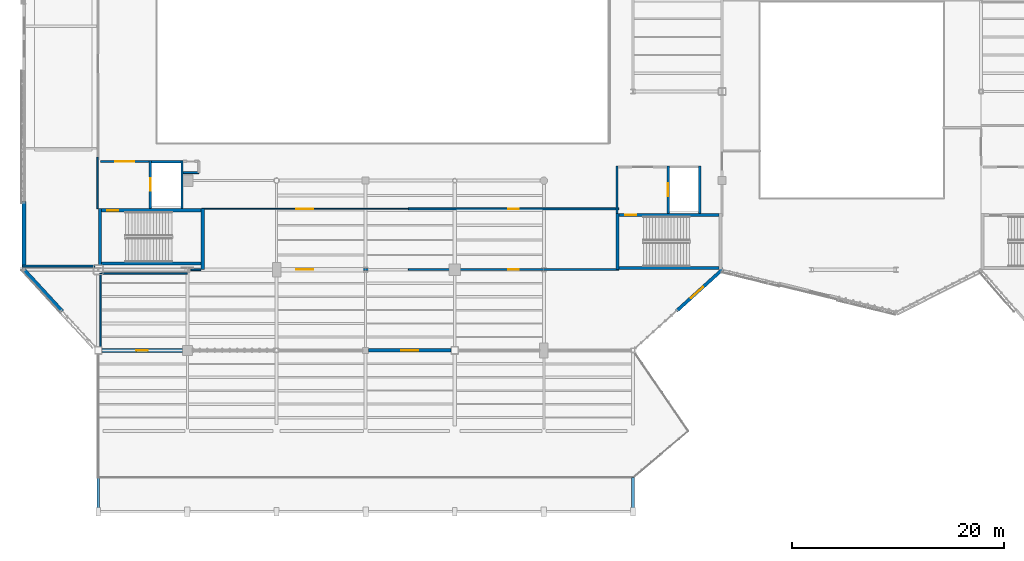
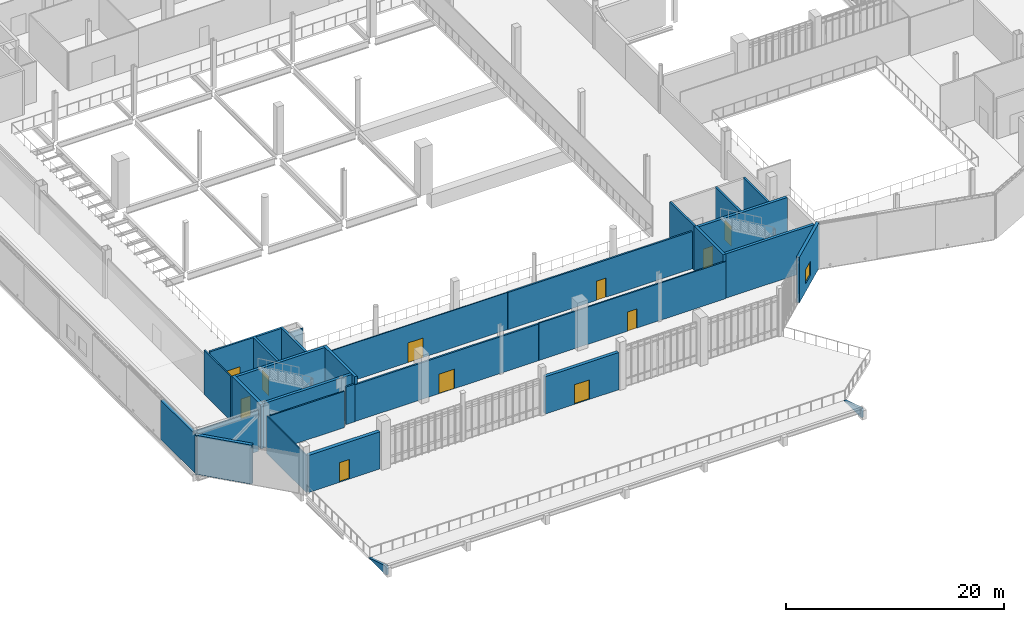
# One storey, part 104 of 127: 31 walls, 11 doors, 1 window, 12 openings.
"""IFC4 building model written with IfcOpenShell, lengths in metres."""

from ifc_helpers import new_model, si_unit, direction, frame, frame_2d, origin, place, context, subcontext, project, spatial, polyline, rectangle, outline, extrude, material, layer, layer_set, type_object, element, fill, save


model = new_model("IFC4")

# Units and contexts
model_context = context("Model", 3, precision=1e-05, world=origin(), true_north=direction((0.0, 1.0)))
body_context = subcontext(model_context, "Body", "Model", "MODEL_VIEW")
ifc_project = project(units=[si_unit("LENGTHUNIT", "METRE"), si_unit("AREAUNIT", "SQUARE_METRE"), si_unit("VOLUMEUNIT", "CUBIC_METRE"), si_unit("PLANEANGLEUNIT", "RADIAN"), si_unit("MASSUNIT", "GRAM", prefix="KILO")], contexts=[model_context])

# Site, building, storey
site_placement = place(None, origin())
site = spatial("IfcSite", under=ifc_project, at=site_placement, CompositionType="ELEMENT")
building_placement = place(site_placement, origin())
building = spatial("IfcBuilding", under=site, at=building_placement, Name="Larkvane Passage Sports Hall", CompositionType="ELEMENT")
storey_placement = place(building_placement, frame((0.0, 0.0, 5.39990234375)))
storey = spatial("IfcBuildingStorey", under=building, at=storey_placement, Name="L01", CompositionType="ELEMENT", Elevation=5.39990234375)

# Walls
ifc_material_1 = material(Name="Concrete C50/60", Category="concrete")
ifc_layer_1 = layer(ifc_material_1, 0.300048828125)
ifc_layer_set_1 = layer_set([ifc_layer_1], Name="Concrete C50/60")
wall_type_1 = type_object("IfcWallType", Name="WL-CORE-300", PredefinedType="SHEAR", material=ifc_layer_set_1)
wall_1_placement = place(storey_placement, frame((44.64990234375, 28.550048828125, 0.0), z_axis=(0.0, 0.0, 1.0), x_axis=(0.0, -1.0, 0.0)))
element("IfcWall", 1, at=wall_1_placement, inside=storey, type_object=wall_type_1, Name="Core shear wall WAL-CORE-C1-L01-E", PredefinedType="SHEAR", context=body_context, shape_type="SweptSolid", body=[
    extrude(rectangle(XDim=5.75, YDim=0.300048828125, at=frame_2d((2.875, 0.0))), origin(), (0.0, 0.0, 1.0), 4.97998046875),
])
wall_2_placement = place(storey_placement, frame((44.5, 23.39990234375, 0.0), z_axis=(0.0, 0.0, 1.0), x_axis=(-1.0, 0.0, 0.0)))
element("IfcWall", 2, at=wall_2_placement, inside=storey, type_object=wall_type_1, Name="Core shear wall WAL-CORE-C1-L01-S", PredefinedType="SHEAR", context=body_context, shape_type="SweptSolid", body=[
    extrude(rectangle(XDim=9.39990234375, YDim=0.300048828125, at=frame_2d((4.699951171875, 0.0))), origin(), (0.0, 0.0, 1.0), 4.97998046875),
])

# Wall, opening, door
wall_3_placement = place(storey_placement, frame((35.10009765625, 28.39990234375, 0.0), z_axis=(0.0, 0.0, 1.0), x_axis=(1.0, 0.0, 0.0)))
wall_3 = element("IfcWall", 3, at=wall_3_placement, inside=storey, type_object=wall_type_1, Name="Core shear wall WAL-CORE-C1-L01-N", PredefinedType="SHEAR", context=body_context, shape_type="SweptSolid", body=[
    extrude(rectangle(XDim=9.39990234375, YDim=0.300048828125, at=frame_2d((4.699951171875, 0.0))), origin(), (0.0, 0.0, 1.0), 4.97998046875),
])
opening_1_placement = place(wall_3_placement, frame((0.550048828125, 0.0, 0.0)))
opening_1 = element("IfcOpeningElement", 4, at=opening_1_placement, cuts=wall_3, Name="Opening DF-01", PredefinedType="OPENING", context=body_context, shape_type="SweptSolid", body=[
    extrude(rectangle(XDim=1.050048828125, YDim=2.199951171875, at=frame_2d((0.52490234375, 1.10009765625))), frame((0.0, 0.159912109375, 0.0), z_axis=(0.0, -1.0, 0.0), x_axis=(1.0, 0.0, 0.0)), (0.0, 0.0, 1.0), 0.320068359375),
])
ifc_material_2 = material(Name="Steel S355JR smoke-sealed fire door", Category="steel")
door_type_1 = type_object("IfcDoorType", Name="DR-FIRE-1050", OperationType="NOTDEFINED", PredefinedType="DOOR", material=ifc_material_2)
door_1_placement = place(opening_1_placement, origin())
door_1 = element("IfcDoor", 5, at=door_1_placement, inside=storey, type_object=door_type_1, Name="Stair ST-01 L01 fire door", OperationType="SINGLE_SWING_RIGHT", OverallHeight=2.199951171875, OverallWidth=1.050048828125, PredefinedType="DOOR", context=body_context, shape_type="SweptSolid", body=[
    extrude(rectangle(XDim=1.050048828125, YDim=2.199951171875, at=frame_2d((0.52490234375, 1.10009765625))), frame((0.0, 0.02490234375, 0.0), z_axis=(0.0, -1.0, 0.0), x_axis=(1.0, 0.0, 0.0)), (0.0, 0.0, 1.0), 0.050048828125),
])
fill(opening_1, door_1)

# Wall
wall_4_placement = place(storey_placement, frame((83.75, 22.800048828125, 0.0), z_axis=(0.0, 0.0, 1.0), x_axis=(0.0, 1.0, 0.0)))
element("IfcWall", 6, at=wall_4_placement, inside=storey, type_object=wall_type_1, Name="Core shear wall WAL-CORE-C4-L01-W", PredefinedType="SHEAR", context=body_context, shape_type="SweptSolid", body=[
    extrude(rectangle(XDim=5.300048828125, YDim=0.300048828125, at=frame_2d((2.64990234375, 0.0))), origin(), (0.0, 0.0, 1.0), 4.97998046875),
])

# Wall, opening, door
wall_5_placement = place(storey_placement, frame((83.89990234375, 27.949951171875, 0.0), z_axis=(0.0, 0.0, 1.0), x_axis=(1.0, 0.0, 0.0)))
wall_5 = element("IfcWall", 7, at=wall_5_placement, inside=storey, type_object=wall_type_1, Name="Core shear wall WAL-CORE-C4-L01-N", PredefinedType="SHEAR", context=body_context, shape_type="SweptSolid", body=[
    extrude(rectangle(XDim=9.400146484375, YDim=0.300048828125, at=frame_2d((4.7001953125, 0.0))), origin(), (0.0, 0.0, 1.0), 4.97998046875),
])
opening_2_placement = place(wall_5_placement, frame((0.550048828125, 0.0, 0.0)))
opening_2 = element("IfcOpeningElement", 8, at=opening_2_placement, cuts=wall_5, Name="Opening DF-01", PredefinedType="OPENING", context=body_context, shape_type="SweptSolid", body=[
    extrude(rectangle(XDim=1.050048828125, YDim=2.199951171875, at=frame_2d((0.52490234375, 1.10009765625))), frame((0.0, 0.159912109375, 0.0), z_axis=(0.0, -1.0, 0.0), x_axis=(1.0, 0.0, 0.0)), (0.0, 0.0, 1.0), 0.320068359375),
])
door_2_placement = place(opening_2_placement, origin())
door_2 = element("IfcDoor", 9, at=door_2_placement, inside=storey, type_object=door_type_1, Name="Stair ST-04 L01 fire door", OperationType="SINGLE_SWING_LEFT", OverallHeight=2.199951171875, OverallWidth=1.050048828125, PredefinedType="DOOR", context=body_context, shape_type="SweptSolid", body=[
    extrude(rectangle(XDim=1.050048828125, YDim=2.199951171875, at=frame_2d((0.52490234375, 1.10009765625))), frame((0.0, 0.02490234375, 0.0), z_axis=(0.0, -1.0, 0.0), x_axis=(1.0, 0.0, 0.0)), (0.0, 0.0, 1.0), 0.050048828125),
])
fill(opening_2, door_2)

# Walls
ifc_layer_2 = layer(ifc_material_1, 0.300048828125)
ifc_layer_set_2 = layer_set([ifc_layer_2], Name="Concrete C50/60")
wall_type_2 = type_object("IfcWallType", Name="WL-CORE-EXT-300", PredefinedType="SHEAR", material=ifc_layer_set_2)
wall_6_placement = place(storey_placement, frame((34.949951171875, 23.25, 0.0), z_axis=(0.0, 0.0, 1.0), x_axis=(0.0, 1.0, 0.0)))
element("IfcWall", 10, at=wall_6_placement, inside=storey, type_object=wall_type_2, Name="Core shear wall WAL-CORE-C1-L01-W", PredefinedType="SHEAR", context=body_context, shape_type="SweptSolid", body=[
    extrude(rectangle(XDim=5.300048828125, YDim=0.300048828125, at=frame_2d((2.64990234375, 0.0))), origin(), (0.0, 0.0, 1.0), 4.97998046875),
])
wall_7_placement = place(storey_placement, frame((93.300048828125, 22.949951171875, 0.0), z_axis=(0.0, 0.0, 1.0), x_axis=(-1.0, 0.0, 0.0)))
element("IfcWall", 11, at=wall_7_placement, inside=storey, type_object=wall_type_2, Name="Core shear wall WAL-CORE-C4-L01-S", PredefinedType="SHEAR", context=body_context, shape_type="SweptSolid", body=[
    extrude(rectangle(XDim=9.400146484375, YDim=0.300048828125, at=frame_2d((4.7001953125, 0.0))), origin(), (0.0, 0.0, 1.0), 4.97998046875),
])

# Wall, opening, window
ifc_material_3 = material(Name="Precast concrete C45/55", Category="concrete")
ifc_layer_3 = layer(ifc_material_3, 0.31005859375)
ifc_layer_set_3 = layer_set([ifc_layer_3], Name="Precast concrete C45/55")
wall_type_3 = type_object("IfcWallType", Name="WL-EXT-310", PredefinedType="SOLIDWALL", material=ifc_layer_set_3)
wall_8_placement = place(storey_placement, frame((93.69921875, 22.889892578125, 0.0), z_axis=(0.0, 0.0, 1.0), x_axis=(-0.741513407769, -0.670938049375, 0.0)))
wall_8 = element("IfcWall", 12, at=wall_8_placement, inside=storey, type_object=wall_type_3, Name="Exterior wall WAL-EXT-L01-109", PredefinedType="SOLIDWALL", context=body_context, shape_type="SweptSolid", body=[
    extrude(rectangle(XDim=5.946533203125, YDim=0.31005859375, at=frame_2d((2.97314453125, 0.0))), origin(), (0.0, 0.0, 1.0), 5.090087890625),
])
opening_3_placement = place(wall_8_placement, frame((2.580078125, 0.0, 0.89990234375)))
opening_3 = element("IfcOpeningElement", 13, at=opening_3_placement, cuts=wall_8, Name="Opening W-01", PredefinedType="OPENING", context=body_context, shape_type="SweptSolid", body=[
    extrude(rectangle(XDim=1.5, YDim=1.60009765625, at=frame_2d((0.75, 0.800048828125))), frame((0.0, 0.1650390625, 0.0), z_axis=(0.0, -1.0, 0.0), x_axis=(1.0, 0.0, 0.0)), (0.0, 0.0, 1.0), 0.330078125),
])
ifc_material_4 = material(Name="Thermally broken aluminium and laminated low-E glass", Category="aluminium")
window_type = type_object("IfcWindowType", Name="WN-FIX-1500x1600", PartitioningType="SINGLE_PANEL", PredefinedType="WINDOW", material=ifc_material_4)
window_placement = place(opening_3_placement, origin())
window = element("IfcWindow", 14, at=window_placement, inside=storey, type_object=window_type, Name="Window L01-037", OverallHeight=1.60009765625, OverallWidth=1.5, PartitioningType="SINGLE_PANEL", PredefinedType="WINDOW", context=body_context, shape_type="SweptSolid", body=[
    extrude(rectangle(XDim=1.5, YDim=1.60009765625, at=frame_2d((0.75, 0.800048828125))), frame((0.0, 0.030029296875, 0.0), z_axis=(0.0, -1.0, 0.0), x_axis=(1.0, 0.0, 0.0)), (0.0, 0.0, 1.0), 0.06005859375),
])
fill(opening_3, window)

# Wall, opening, door
ifc_layer_4 = layer(ifc_material_3, 0.344970703125)
ifc_layer_set_4 = layer_set([ifc_layer_4], Name="Precast concrete C45/55")
wall_type_4 = type_object("IfcWallType", Name="WL-EXT-345", PredefinedType="SOLIDWALL", material=ifc_layer_set_4)
wall_9_placement = place(storey_placement, frame((68.053955078125, 15.199951171875, 0.0), z_axis=(0.0, 0.0, 1.0), x_axis=(-1.0, 0.0, 0.0)))
wall_9 = element("IfcWall", 15, at=wall_9_placement, inside=storey, type_object=wall_type_4, Name="Exterior wall WAL-EXT-L01-062", PredefinedType="SOLIDWALL", context=body_context, shape_type="SweptSolid", body=[
    extrude(rectangle(XDim=7.782958984375, YDim=0.344970703125, at=frame_2d((3.8916015625, 0.0))), origin(), (0.0, 0.0, 1.0), 4.176025390625),
])
opening_4_placement = place(wall_9_placement, frame((3.092041015625, 0.0, 0.0)))
opening_4 = element("IfcOpeningElement", 16, at=opening_4_placement, cuts=wall_9, Name="Opening DE-04", PredefinedType="OPENING", context=body_context, shape_type="SweptSolid", body=[
    extrude(rectangle(XDim=1.60009765625, YDim=2.199951171875, at=frame_2d((0.800048828125, 1.10009765625))), frame((0.0, 0.182373046875, 0.0), z_axis=(0.0, -1.0, 0.0), x_axis=(1.0, 0.0, 0.0)), (0.0, 0.0, 1.0), 0.364990234375),
])
ifc_material_5 = material(Name="Galvanised steel S355JR fire exit leaf", Category="steel")
door_type_2 = type_object("IfcDoorType", Name="DR-EXIT-1600", OperationType="DOUBLE_DOOR_SINGLE_SWING", PredefinedType="DOOR", material=ifc_material_5)
door_3_placement = place(opening_4_placement, origin())
door_3 = element("IfcDoor", 17, at=door_3_placement, inside=storey, type_object=door_type_2, Name="Exterior door L01-034", OperationType="DOUBLE_DOOR_SINGLE_SWING", OverallHeight=2.199951171875, OverallWidth=1.60009765625, PredefinedType="DOOR", context=body_context, shape_type="SweptSolid", body=[
    extrude(rectangle(XDim=1.60009765625, YDim=2.199951171875, at=frame_2d((0.800048828125, 1.10009765625))), frame((0.0, 0.02490234375, 0.0), z_axis=(0.0, -1.0, 0.0), x_axis=(1.0, 0.0, 0.0)), (0.0, 0.0, 1.0), 0.050048828125),
])
fill(opening_4, door_3)

# Walls
wall_10_placement = place(storey_placement, frame((31.412109375, 18.878173828125, 0.0), z_axis=(0.0, 0.0, 1.0), x_axis=(-0.677466270473, 0.735553840566, 0.0)))
element("IfcWall", 18, at=wall_10_placement, inside=storey, type_object=wall_type_4, Name="Exterior wall WAL-EXT-L01-064", PredefinedType="SOLIDWALL", context=body_context, shape_type="SweptSolid", body=[
    extrude(rectangle(XDim=5.49755859375, YDim=0.344970703125, at=frame_2d((2.748779296875, 0.0))), origin(), (0.0, 0.0, 1.0), 4.380126953125),
])
wall_11_placement = place(storey_placement, frame((27.800048828125, 22.634521484375, 0.0), z_axis=(0.0, 0.0, 1.0), x_axis=(0.0, 1.0, 0.0)))
element("IfcWall", 19, at=wall_11_placement, inside=storey, type_object=wall_type_4, Name="Exterior wall WAL-EXT-L01-065", PredefinedType="SOLIDWALL", context=body_context, shape_type="SweptSolid", body=[
    extrude(rectangle(XDim=6.585693359375, YDim=0.344970703125, at=frame_2d((3.29296875, 0.0))), origin(), (0.0, 0.0, 1.0), 4.380126953125),
])

# Wall, opening, door
ifc_material_6 = material(Name="Concrete C40/50", Category="concrete")
ifc_layer_5 = layer(ifc_material_6, 0.385009765625)
ifc_layer_set_5 = layer_set([ifc_layer_5], Name="Concrete C40/50")
wall_type_5 = type_object("IfcWallType", Name="WL-EXT-385", PredefinedType="SOLIDWALL", material=ifc_layer_set_5)
wall_12_placement = place(storey_placement, frame((42.72900390625, 15.199951171875, 0.0), z_axis=(0.0, 0.0, 1.0), x_axis=(-1.0, 0.0, 0.0)))
wall_12 = element("IfcWall", 20, at=wall_12_placement, inside=storey, type_object=wall_type_5, Name="Exterior wall WAL-EXT-L01-063", PredefinedType="SOLIDWALL", context=body_context, shape_type="SweptSolid", body=[
    extrude(rectangle(XDim=7.5830078125, YDim=0.385009765625, at=frame_2d((3.79150390625, 0.0))), origin(), (0.0, 0.0, 1.0), 4.168212890625),
])
opening_5_placement = place(wall_12_placement, frame((3.241943359375, 0.0, 0.0)))
opening_5 = element("IfcOpeningElement", 21, at=opening_5_placement, cuts=wall_12, Name="Opening DE-05", PredefinedType="OPENING", context=body_context, shape_type="SweptSolid", body=[
    extrude(rectangle(XDim=1.10009765625, YDim=2.199951171875, at=frame_2d((0.550048828125, 1.10009765625))), frame((0.0, 0.202392578125, 0.0), z_axis=(0.0, -1.0, 0.0), x_axis=(1.0, 0.0, 0.0)), (0.0, 0.0, 1.0), 0.405029296875),
])
ifc_material_7 = material(Name="Thermally broken aluminium glazed door", Category="aluminium")
door_type_3 = type_object("IfcDoorType", Name="DR-TER-1100", OperationType="NOTDEFINED", PredefinedType="DOOR", material=ifc_material_7)
door_4_placement = place(opening_5_placement, origin())
door_4 = element("IfcDoor", 22, at=door_4_placement, inside=storey, type_object=door_type_3, Name="Exterior door L01-035", OperationType="SINGLE_SWING_LEFT", OverallHeight=2.199951171875, OverallWidth=1.10009765625, PredefinedType="DOOR", context=body_context, shape_type="SweptSolid", body=[
    extrude(rectangle(XDim=1.10009765625, YDim=2.199951171875, at=frame_2d((0.550048828125, 1.10009765625))), frame((0.0, 0.02490234375, 0.0), z_axis=(0.0, -1.0, 0.0), x_axis=(1.0, 0.0, 0.0)), (0.0, 0.0, 1.0), 0.050048828125),
])
fill(opening_5, door_4)

# Walls
ifc_layer_6 = layer(ifc_material_3, 0.260009765625)
ifc_layer_set_6 = layer_set([ifc_layer_6], Name="Precast concrete C45/55")
wall_type_6 = type_object("IfcWallType", Name="WL-GABLE-260", PredefinedType="SOLIDWALL", material=ifc_layer_set_6)
wall_13_placement = place(storey_placement, frame((34.800048828125, 3.199951171875, 0.0), z_axis=(0.0, 0.0, 1.0), x_axis=(0.0, -1.0, 0.0)))
element("IfcWall", 23, at=wall_13_placement, inside=storey, type_object=wall_type_6, Name="Monsoon arcade eave cheek wall WAL-GABLE-V6-W", PredefinedType="SOLIDWALL", context=body_context, shape_type="SweptSolid", body=[
    extrude(outline(polyline([(0.0, 0.0), (3.199951171875, 0.0), (3.199951171875, 1.02001953125), (0.0, 0.02001953125), (0.0, 0.0)])), frame((0.0, 0.1298828125, 0.0), z_axis=(0.0, -1.0, 0.0), x_axis=(1.0, 0.0, 0.0)), (0.0, 0.0, 1.0), 0.260009765625),
])
wall_14_placement = place(storey_placement, frame((85.199951171875, 0.0, 0.0), z_axis=(0.0, 0.0, 1.0), x_axis=(0.0, 1.0, 0.0)))
element("IfcWall", 24, at=wall_14_placement, inside=storey, type_object=wall_type_6, Name="Monsoon arcade eave cheek wall WAL-GABLE-V6-E", PredefinedType="SOLIDWALL", context=body_context, shape_type="SweptSolid", body=[
    extrude(outline(polyline([(0.0, 0.0), (3.199951171875, 0.0), (3.199951171875, 0.02001953125), (0.0, 1.02001953125), (0.0, 0.0)])), frame((0.0, 0.1298828125, 0.0), z_axis=(0.0, -1.0, 0.0), x_axis=(1.0, 0.0, 0.0)), (0.0, 0.0, 1.0), 0.260009765625),
])

# Wall, opening, door
ifc_layer_7 = layer(ifc_material_6, 0.199951171875)
ifc_layer_set_7 = layer_set([ifc_layer_7], Name="Concrete C40/50")
wall_type_7 = type_object("IfcWallType", Name="WL-LOBBY-200", PredefinedType="SOLIDWALL", material=ifc_layer_set_7)
wall_15_placement = place(storey_placement, frame((35.0, 33.0, 0.0), z_axis=(0.0, 0.0, 1.0), x_axis=(1.0, 0.0, 0.0)))
wall_15 = element("IfcWall", 25, at=wall_15_placement, inside=storey, type_object=wall_type_7, Name="Protected stair lobby wall C1 L01", PredefinedType="SOLIDWALL", context=body_context, shape_type="SweptSolid", body=[
    extrude(rectangle(XDim=4.60009765625, YDim=0.199951171875, at=frame_2d((2.300048828125, 0.0))), origin(), (0.0, 0.0, 1.0), 4.97998046875),
])
opening_6_placement = place(wall_15_placement, frame((1.39990234375, 0.0, 0.0)))
opening_6 = element("IfcOpeningElement", 26, at=opening_6_placement, cuts=wall_15, Name="Opening DF-02", PredefinedType="OPENING", context=body_context, shape_type="SweptSolid", body=[
    extrude(rectangle(XDim=1.800048828125, YDim=2.199951171875, at=frame_2d((0.89990234375, 1.10009765625))), frame((0.0, 0.10986328125, 0.0), z_axis=(0.0, -1.0, 0.0), x_axis=(1.0, 0.0, 0.0)), (0.0, 0.0, 1.0), 0.219970703125),
])
ifc_material_8 = material(Name="Steel S355JR double smoke-sealed fire door", Category="steel")
door_type_4 = type_object("IfcDoorType", Name="DR-FIRE-1800", OperationType="DOUBLE_DOOR_SINGLE_SWING", PredefinedType="DOOR", material=ifc_material_8)
door_5_placement = place(opening_6_placement, origin())
door_5 = element("IfcDoor", 27, at=door_5_placement, inside=storey, type_object=door_type_4, Name="Lobby smoke door C1 L01", OperationType="DOUBLE_DOOR_SINGLE_SWING", OverallHeight=2.199951171875, OverallWidth=1.800048828125, PredefinedType="DOOR", context=body_context, shape_type="SweptSolid", body=[
    extrude(rectangle(XDim=1.800048828125, YDim=2.199951171875, at=frame_2d((0.89990234375, 1.10009765625))), frame((0.0, 0.02490234375, 0.0), z_axis=(0.0, -1.0, 0.0), x_axis=(1.0, 0.0, 0.0)), (0.0, 0.0, 1.0), 0.050048828125),
])
fill(opening_6, door_5)

# Wall
wall_16_placement = place(storey_placement, frame((83.699951171875, 28.10009765625, 0.0), z_axis=(0.0, 0.0, 1.0), x_axis=(0.0, 1.0, 0.0)))
element("IfcWall", 28, at=wall_16_placement, inside=storey, type_object=wall_type_7, Name="Lobby side wall C4 L01", PredefinedType="SOLIDWALL", context=body_context, shape_type="SweptSolid", body=[
    extrude(rectangle(XDim=4.5, YDim=0.199951171875, at=frame_2d((2.25, 0.0))), origin(), (0.0, 0.0, 1.0), 4.97998046875),
])

# Wall, opening, door
ifc_material_9 = material(Name="Gypsum twin-stud acoustic partition")
ifc_layer_8 = layer(ifc_material_9, 0.10009765625)
ifc_layer_set_8 = layer_set([ifc_layer_8], Name="Gypsum twin-stud acoustic partition")
wall_type_8 = type_object("IfcWallType", Name="WL-PART-100", PredefinedType="PARTITIONING", material=ifc_layer_set_8)
wall_17_placement = place(storey_placement, frame((44.5400390625, 28.530029296875, 0.0), z_axis=(0.0, 0.0, 1.0), x_axis=(1.0, 0.0, 0.0)))
wall_17 = element("IfcWall", 29, at=wall_17_placement, inside=storey, type_object=wall_type_8, Name="Interior partition WAL-PART-L01-0127", PredefinedType="PARTITIONING", context=body_context, shape_type="SweptSolid", body=[
    extrude(rectangle(XDim=19.4599609375, YDim=0.10009765625, at=frame_2d((9.72998046875, 0.0))), origin(), (0.0, 0.0, 1.0), 4.170166015625),
])
opening_7_placement = place(wall_17_placement, frame((8.929931640625, 0.0, 0.0)))
opening_7 = element("IfcOpeningElement", 30, at=opening_7_placement, cuts=wall_17, Name="Opening DI-03", PredefinedType="OPENING", context=body_context, shape_type="SweptSolid", body=[
    extrude(rectangle(XDim=1.60009765625, YDim=2.199951171875, at=frame_2d((0.800048828125, 1.10009765625))), frame((0.0, 0.06005859375, 0.0), z_axis=(0.0, -1.0, 0.0), x_axis=(1.0, 0.0, 0.0)), (0.0, 0.0, 1.0), 0.1201171875),
])
ifc_material_10 = material(Name="Glazed aluminium studio double door", Category="aluminium")
door_type_5 = type_object("IfcDoorType", Name="DR-INT-1600", OperationType="DOUBLE_DOOR_SINGLE_SWING", PredefinedType="DOOR", material=ifc_material_10)
door_6_placement = place(opening_7_placement, origin())
door_6 = element("IfcDoor", 31, at=door_6_placement, inside=storey, type_object=door_type_5, Name="Interior door L01-0046", OperationType="DOUBLE_DOOR_SINGLE_SWING", OverallHeight=2.199951171875, OverallWidth=1.60009765625, PredefinedType="DOOR", context=body_context, shape_type="SweptSolid", body=[
    extrude(rectangle(XDim=1.60009765625, YDim=2.199951171875, at=frame_2d((0.800048828125, 1.10009765625))), frame((0.0, 0.02490234375, 0.0), z_axis=(0.0, -1.0, 0.0), x_axis=(1.0, 0.0, 0.0)), (0.0, 0.0, 1.0), 0.050048828125),
])
fill(opening_7, door_6)

# Walls
ifc_material_11 = material(Name="Gypsum twin-stud fire-rated partition")
ifc_layer_9 = layer(ifc_material_11, 0.125)
ifc_layer_set_9 = layer_set([ifc_layer_9], Name="Gypsum twin-stud fire-rated partition")
wall_type_9 = type_object("IfcWallType", Name="WL-PART-125", PredefinedType="PARTITIONING", material=ifc_layer_set_9)
wall_18_placement = place(storey_placement, frame((35.0, 15.112060546875, 0.0), z_axis=(0.0, 0.0, 1.0), x_axis=(0.0, 1.0, 0.0)))
element("IfcWall", 32, at=wall_18_placement, inside=storey, type_object=wall_type_9, Name="Interior partition WAL-PART-L01-0172", PredefinedType="PARTITIONING", context=body_context, shape_type="SweptSolid", body=[
    extrude(rectangle(XDim=7.347900390625, YDim=0.125, at=frame_2d((3.673828125, 0.0))), origin(), (0.0, 0.0, 1.0), 4.170166015625),
])
ifc_material_12 = material(Name="Gypsum acoustic partition")
ifc_layer_10 = layer(ifc_material_12, 0.14990234375)
ifc_layer_set_10 = layer_set([ifc_layer_10], Name="Gypsum acoustic partition")
wall_type_10 = type_object("IfcWallType", Name="WL-PART-150", PredefinedType="PARTITIONING", material=ifc_layer_set_10)
wall_19_placement = place(storey_placement, frame((34.739990234375, 33.419921875, 0.0), z_axis=(0.0, 0.0, 1.0), x_axis=(0.0, -1.0, 0.0)))
element("IfcWall", 33, at=wall_19_placement, inside=storey, type_object=wall_type_10, Name="Interior partition WAL-PART-L01-0117", PredefinedType="PARTITIONING", context=body_context, shape_type="SweptSolid", body=[
    extrude(rectangle(XDim=4.869873046875, YDim=0.14990234375, at=frame_2d((2.43505859375, 0.0))), origin(), (0.0, 0.0, 1.0), 4.97998046875),
])

# Wall, opening, door
wall_20_placement = place(storey_placement, frame((83.860107421875, 22.820068359375, 0.0), z_axis=(0.0, 0.0, 1.0), x_axis=(-1.0, 0.0, 0.0)))
wall_20 = element("IfcWall", 34, at=wall_20_placement, inside=storey, type_object=wall_type_10, Name="Interior partition WAL-PART-L01-0129", PredefinedType="PARTITIONING", context=body_context, shape_type="SweptSolid", body=[
    extrude(rectangle(XDim=19.840087890625, YDim=0.14990234375, at=frame_2d((9.919921875, 0.0))), origin(), (0.0, 0.0, 1.0), 4.177978515625),
])
opening_8_placement = place(wall_20_placement, frame((9.419921875, 0.0, 0.0)))
opening_8 = element("IfcOpeningElement", 35, at=opening_8_placement, cuts=wall_20, Name="Opening DI-01", PredefinedType="OPENING", context=body_context, shape_type="SweptSolid", body=[
    extrude(rectangle(XDim=1.0, YDim=2.14990234375, at=frame_2d((0.5, 1.074951171875))), frame((0.0, 0.0849609375, 0.0), z_axis=(0.0, -1.0, 0.0), x_axis=(1.0, 0.0, 0.0)), (0.0, 0.0, 1.0), 0.169921875),
])
ifc_material_13 = material(Name="Solid-core hardwood acoustic door", Category="wood")
door_type_6 = type_object("IfcDoorType", Name="DR-INT-1000", OperationType="NOTDEFINED", PredefinedType="DOOR", material=ifc_material_13)
door_7_placement = place(opening_8_placement, origin())
door_7 = element("IfcDoor", 36, at=door_7_placement, inside=storey, type_object=door_type_6, Name="Interior door L01-0043", OperationType="SINGLE_SWING_RIGHT", OverallHeight=2.14990234375, OverallWidth=1.0, PredefinedType="DOOR", context=body_context, shape_type="SweptSolid", body=[
    extrude(rectangle(XDim=1.0, YDim=2.14990234375, at=frame_2d((0.5, 1.074951171875))), frame((0.0, 0.02490234375, 0.0), z_axis=(0.0, -1.0, 0.0), x_axis=(1.0, 0.0, 0.0)), (0.0, 0.0, 1.0), 0.050048828125),
])
fill(opening_8, door_7)

# Walls
wall_21_placement = place(storey_placement, frame((35.1201171875, 22.4599609375, 0.0), z_axis=(0.0, 0.0, 1.0), x_axis=(1.0, 0.0, 0.0)))
element("IfcWall", 37, at=wall_21_placement, inside=storey, type_object=wall_type_10, Name="Interior partition WAL-PART-L01-0173", PredefinedType="PARTITIONING", context=body_context, shape_type="SweptSolid", body=[
    extrude(rectangle(XDim=8.079833984375, YDim=0.14990234375, at=frame_2d((4.0400390625, 0.0))), origin(), (0.0, 0.0, 1.0), 4.070068359375),
])
ifc_material_14 = material(Name="Gypsum high-bay court partition")
ifc_layer_11 = layer(ifc_material_14, 0.179931640625)
ifc_layer_set_11 = layer_set([ifc_layer_11], Name="Gypsum high-bay court partition")
wall_type_11 = type_object("IfcWallType", Name="WL-PART-180", PredefinedType="PARTITIONING", material=ifc_layer_set_11)
wall_22_placement = place(storey_placement, frame((34.47607421875, 23.139892578125, 0.0), z_axis=(0.0, 0.0, 1.0), x_axis=(-1.0, 0.0, 0.0)))
element("IfcWall", 38, at=wall_22_placement, inside=storey, type_object=wall_type_11, Name="Interior partition WAL-PART-L01-0110", PredefinedType="PARTITIONING", context=body_context, shape_type="SweptSolid", body=[
    extrude(rectangle(XDim=6.82763671875, YDim=0.179931640625, at=frame_2d((3.413818359375, 0.0))), origin(), (0.0, 0.0, 1.0), 4.580078125),
])

# Wall, opening, door
wall_23_placement = place(storey_placement, frame((64.0, 22.820068359375, 0.0), z_axis=(0.0, 0.0, 1.0), x_axis=(-1.0, 0.0, 0.0)))
wall_23 = element("IfcWall", 39, at=wall_23_placement, inside=storey, type_object=wall_type_11, Name="Interior partition WAL-PART-L01-0126", PredefinedType="PARTITIONING", context=body_context, shape_type="SweptSolid", body=[
    extrude(rectangle(XDim=19.52001953125, YDim=0.179931640625, at=frame_2d((9.760009765625, 0.0))), origin(), (0.0, 0.0, 1.0), 4.1201171875),
])
opening_9_placement = place(wall_23_placement, frame((8.9599609375, 0.0, 0.0)))
opening_9 = element("IfcOpeningElement", 40, at=opening_9_placement, cuts=wall_23, Name="Opening DI-03", PredefinedType="OPENING", context=body_context, shape_type="SweptSolid", body=[
    extrude(rectangle(XDim=1.60009765625, YDim=2.199951171875, at=frame_2d((0.800048828125, 1.10009765625))), frame((0.0, 0.099853515625, 0.0), z_axis=(0.0, -1.0, 0.0), x_axis=(1.0, 0.0, 0.0)), (0.0, 0.0, 1.0), 0.199951171875),
])
door_8_placement = place(opening_9_placement, origin())
door_8 = element("IfcDoor", 41, at=door_8_placement, inside=storey, type_object=door_type_5, Name="Interior door L01-0045", OperationType="DOUBLE_DOOR_SINGLE_SWING", OverallHeight=2.199951171875, OverallWidth=1.60009765625, PredefinedType="DOOR", context=body_context, shape_type="SweptSolid", body=[
    extrude(rectangle(XDim=1.60009765625, YDim=2.199951171875, at=frame_2d((0.800048828125, 1.10009765625))), frame((0.0, 0.02490234375, 0.0), z_axis=(0.0, -1.0, 0.0), x_axis=(1.0, 0.0, 0.0)), (0.0, 0.0, 1.0), 0.050048828125),
])
fill(opening_9, door_8)

wall_24_placement = place(storey_placement, frame((64.02001953125, 28.530029296875, 0.0), z_axis=(0.0, 0.0, 1.0), x_axis=(1.0, 0.0, 0.0)))
wall_24 = element("IfcWall", 42, at=wall_24_placement, inside=storey, type_object=wall_type_11, Name="Interior partition WAL-PART-L01-0130", PredefinedType="PARTITIONING", context=body_context, shape_type="SweptSolid", body=[
    extrude(rectangle(XDim=19.840087890625, YDim=0.179931640625, at=frame_2d((9.919921875, 0.0))), origin(), (0.0, 0.0, 1.0), 4.177978515625),
])
opening_10_placement = place(wall_24_placement, frame((9.419921875, 0.0, 0.0)))
opening_10 = element("IfcOpeningElement", 43, at=opening_10_placement, cuts=wall_24, Name="Opening DI-01", PredefinedType="OPENING", context=body_context, shape_type="SweptSolid", body=[
    extrude(rectangle(XDim=1.0, YDim=2.14990234375, at=frame_2d((0.5, 1.074951171875))), frame((0.0, 0.099853515625, 0.0), z_axis=(0.0, -1.0, 0.0), x_axis=(1.0, 0.0, 0.0)), (0.0, 0.0, 1.0), 0.199951171875),
])
door_9_placement = place(opening_10_placement, origin())
door_9 = element("IfcDoor", 44, at=door_9_placement, inside=storey, type_object=door_type_6, Name="Interior door L01-0044", OperationType="SINGLE_SWING_LEFT", OverallHeight=2.14990234375, OverallWidth=1.0, PredefinedType="DOOR", context=body_context, shape_type="SweptSolid", body=[
    extrude(rectangle(XDim=1.0, YDim=2.14990234375, at=frame_2d((0.5, 1.074951171875))), frame((0.0, 0.02490234375, 0.0), z_axis=(0.0, -1.0, 0.0), x_axis=(1.0, 0.0, 0.0)), (0.0, 0.0, 1.0), 0.050048828125),
])
fill(opening_10, door_9)

# Walls
wall_25_placement = place(storey_placement, frame((43.5400390625, 22.800048828125, 0.0), z_axis=(0.0, 0.0, 1.0), x_axis=(1.0, 0.0, 0.0)))
element("IfcWall", 45, at=wall_25_placement, inside=storey, type_object=wall_type_11, Name="Interior partition WAL-PART-L01-0174", PredefinedType="PARTITIONING", context=body_context, shape_type="SweptSolid", body=[
    extrude(rectangle(XDim=0.93994140625, YDim=0.179931640625, at=frame_2d((0.469970703125, 0.0))), origin(), (0.0, 0.0, 1.0), 4.22021484375),
])
ifc_material_15 = material(Name="Moisture-resistant shaftliner partition")
ifc_layer_12 = layer(ifc_material_15, 0.175048828125)
ifc_layer_set_12 = layer_set([ifc_layer_12], Name="Moisture-resistant shaftliner partition")
wall_type_12 = type_object("IfcWallType", Name="WL-PLUMB-175", PredefinedType="PLUMBINGWALL", material=ifc_layer_set_12)
wall_26_placement = place(storey_placement, frame((42.800048828125, 31.949951171875, 0.0), z_axis=(0.0, 0.0, 1.0), x_axis=(1.0, 0.0, 0.0)))
element("IfcWall", 46, at=wall_26_placement, inside=storey, type_object=wall_type_12, Name="Service riser chase rear wall C1 L01", PredefinedType="PLUMBINGWALL", context=body_context, shape_type="SweptSolid", body=[
    extrude(rectangle(XDim=1.47998046875, YDim=0.175048828125, at=frame_2d((0.739990234375, 0.0))), origin(), (0.0, 0.0, 1.0), 4.97998046875),
])

# Wall, opening, door
ifc_layer_13 = layer(ifc_material_6, 0.219970703125)
ifc_layer_set_13 = layer_set([ifc_layer_13], Name="Concrete C40/50")
wall_type_13 = type_object("IfcWallType", Name="WL-SHAFT-220", PredefinedType="SOLIDWALL", material=ifc_layer_set_13)
wall_27_placement = place(storey_placement, frame((39.7099609375, 28.550048828125, 0.0), z_axis=(0.0, 0.0, 1.0), x_axis=(0.0, 1.0, 0.0)))
wall_27 = element("IfcWall", 47, at=wall_27_placement, inside=storey, type_object=wall_type_13, Name="Lift shaft front wall FL-01 L01", PredefinedType="SOLIDWALL", context=body_context, shape_type="SweptSolid", body=[
    extrude(rectangle(XDim=4.550048828125, YDim=0.219970703125, at=frame_2d((2.27490234375, 0.0))), origin(), (0.0, 0.0, 1.0), 4.97998046875),
])
opening_11_placement = place(wall_27_placement, frame((1.675048828125, 0.0, 0.0)))
opening_11 = element("IfcOpeningElement", 48, at=opening_11_placement, cuts=wall_27, Name="Opening LD-01", PredefinedType="OPENING", context=body_context, shape_type="SweptSolid", body=[
    extrude(rectangle(XDim=1.199951171875, YDim=2.199951171875, at=frame_2d((0.60009765625, 1.10009765625))), frame((0.0, 0.119873046875, 0.0), z_axis=(0.0, -1.0, 0.0), x_axis=(1.0, 0.0, 0.0)), (0.0, 0.0, 1.0), 0.239990234375),
])
ifc_material_16 = material(Name="Stainless steel S355JR lift landing door", Category="steel")
door_type_7 = type_object("IfcDoorType", Name="DR-LIFT-1200", OperationType="SLIDING_TO_LEFT", PredefinedType="DOOR", material=ifc_material_16)
door_10_placement = place(opening_11_placement, origin())
door_10 = element("IfcDoor", 49, at=door_10_placement, inside=storey, type_object=door_type_7, Name="Lift landing door FL-01 L01", OperationType="SLIDING_TO_LEFT", OverallHeight=2.199951171875, OverallWidth=1.199951171875, PredefinedType="DOOR", context=body_context, shape_type="SweptSolid", body=[
    extrude(rectangle(XDim=1.199951171875, YDim=2.199951171875, at=frame_2d((0.60009765625, 1.10009765625))), frame((0.0, 0.02490234375, 0.0), z_axis=(0.0, -1.0, 0.0), x_axis=(1.0, 0.0, 0.0)), (0.0, 0.0, 1.0), 0.050048828125),
])
fill(opening_11, door_10)

# Walls
wall_28_placement = place(storey_placement, frame((42.68994140625, 28.550048828125, 0.0), z_axis=(0.0, 0.0, 1.0), x_axis=(0.0, 1.0, 0.0)))
element("IfcWall", 50, at=wall_28_placement, inside=storey, type_object=wall_type_13, Name="Lift shaft rear wall FL-01 L01", PredefinedType="SOLIDWALL", context=body_context, shape_type="SweptSolid", body=[
    extrude(rectangle(XDim=4.550048828125, YDim=0.219970703125, at=frame_2d((2.27490234375, 0.0))), origin(), (0.0, 0.0, 1.0), 4.97998046875),
])
wall_29_placement = place(storey_placement, frame((39.820068359375, 32.989990234375, 0.0), z_axis=(0.0, 0.0, 1.0), x_axis=(1.0, 0.0, 0.0)))
element("IfcWall", 51, at=wall_29_placement, inside=storey, type_object=wall_type_13, Name="Lift shaft end wall FL-01 L01", PredefinedType="SOLIDWALL", context=body_context, shape_type="SweptSolid", body=[
    extrude(rectangle(XDim=2.760009765625, YDim=0.219970703125, at=frame_2d((1.3798828125, 0.0))), origin(), (0.0, 0.0, 1.0), 4.97998046875),
])

# Wall, opening, door
wall_30_placement = place(storey_placement, frame((88.510009765625, 28.10009765625, 0.0), z_axis=(0.0, 0.0, 1.0), x_axis=(0.0, 1.0, 0.0)))
wall_30 = element("IfcWall", 52, at=wall_30_placement, inside=storey, type_object=wall_type_13, Name="Lift shaft front wall L-05 L01", PredefinedType="SOLIDWALL", context=body_context, shape_type="SweptSolid", body=[
    extrude(rectangle(XDim=4.5, YDim=0.219970703125, at=frame_2d((2.25, 0.0))), origin(), (0.0, 0.0, 1.0), 4.97998046875),
])
opening_12_placement = place(wall_30_placement, frame((1.64990234375, 0.0, 0.0)))
opening_12 = element("IfcOpeningElement", 53, at=opening_12_placement, cuts=wall_30, Name="Opening LD-01", PredefinedType="OPENING", context=body_context, shape_type="SweptSolid", body=[
    extrude(rectangle(XDim=1.199951171875, YDim=2.199951171875, at=frame_2d((0.60009765625, 1.10009765625))), frame((0.0, 0.119873046875, 0.0), z_axis=(0.0, -1.0, 0.0), x_axis=(1.0, 0.0, 0.0)), (0.0, 0.0, 1.0), 0.239990234375),
])
door_11_placement = place(opening_12_placement, origin())
door_11 = element("IfcDoor", 54, at=door_11_placement, inside=storey, type_object=door_type_7, Name="Lift landing door L-05 L01", OperationType="SLIDING_TO_LEFT", OverallHeight=2.199951171875, OverallWidth=1.199951171875, PredefinedType="DOOR", context=body_context, shape_type="SweptSolid", body=[
    extrude(rectangle(XDim=1.199951171875, YDim=2.199951171875, at=frame_2d((0.60009765625, 1.10009765625))), frame((0.0, 0.02490234375, 0.0), z_axis=(0.0, -1.0, 0.0), x_axis=(1.0, 0.0, 0.0)), (0.0, 0.0, 1.0), 0.050048828125),
])
fill(opening_12, door_11)

# Wall
wall_31_placement = place(storey_placement, frame((91.489990234375, 28.10009765625, 0.0), z_axis=(0.0, 0.0, 1.0), x_axis=(0.0, 1.0, 0.0)))
element("IfcWall", 55, at=wall_31_placement, inside=storey, type_object=wall_type_13, Name="Lift shaft rear wall L-05 L01", PredefinedType="SOLIDWALL", context=body_context, shape_type="SweptSolid", body=[
    extrude(rectangle(XDim=4.5, YDim=0.219970703125, at=frame_2d((2.25, 0.0))), origin(), (0.0, 0.0, 1.0), 4.97998046875),
])

save(model, "model.ifc")
